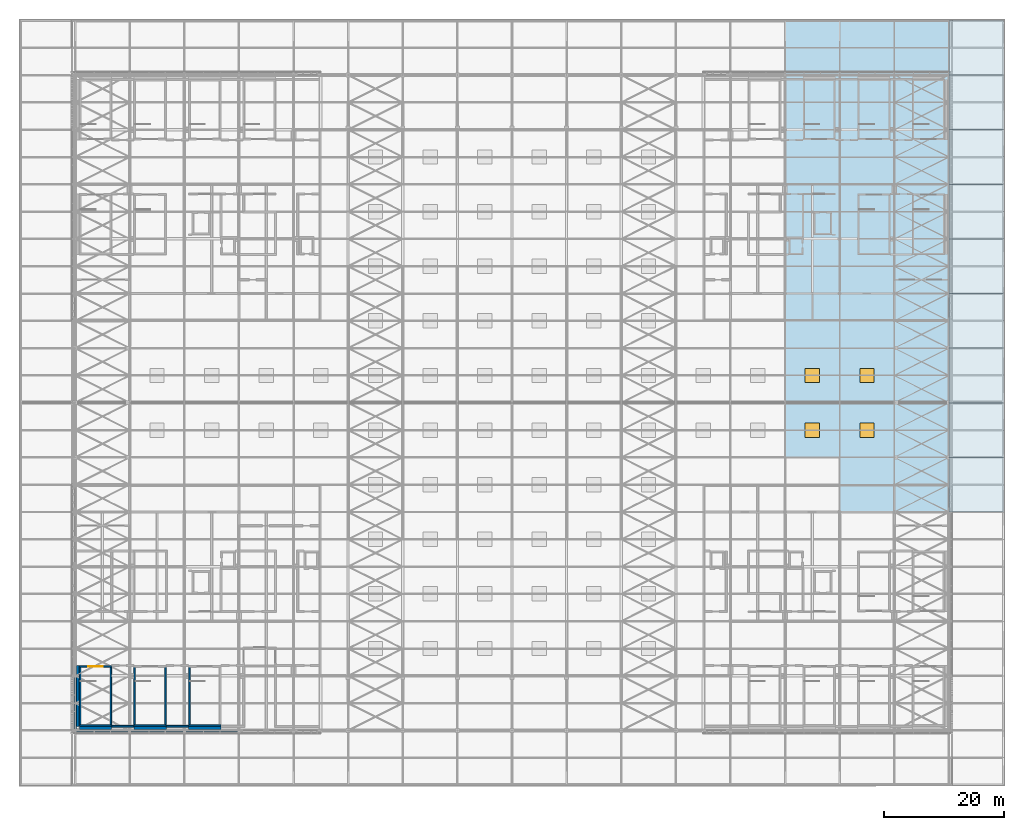
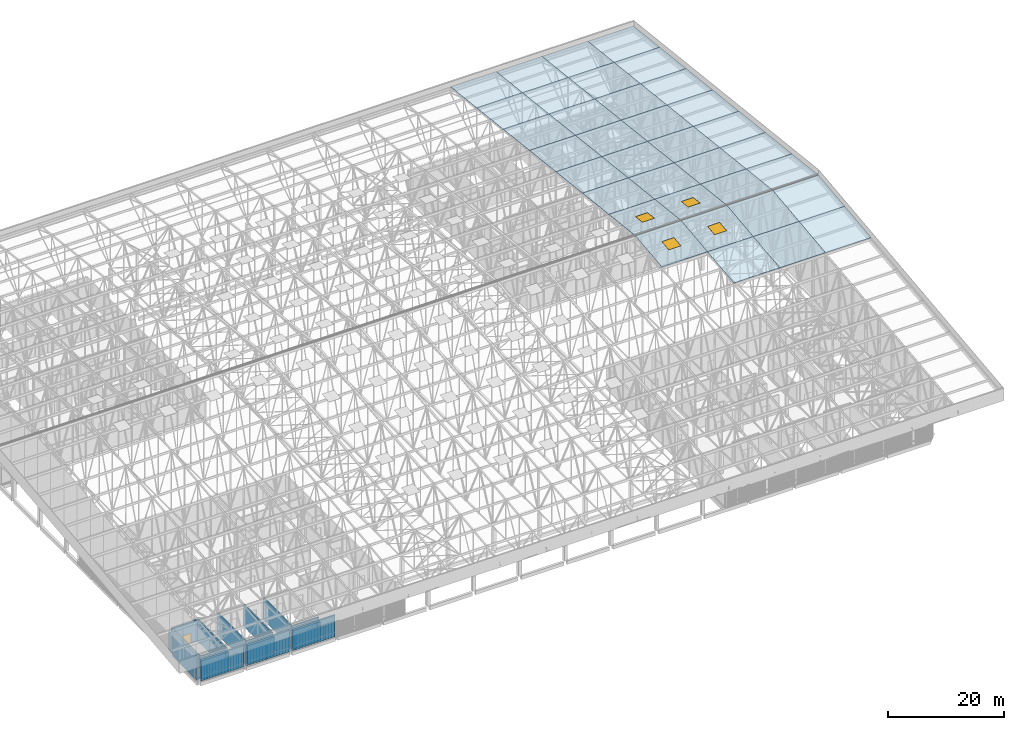
# One storey, part 423 of 500: 35 slabs, 19 walls, 4 windows, 1 door, 5 openings.
"""IFC4 building model written with IfcOpenShell, lengths in metres."""

from ifc_helpers import new_model, si_unit, direction, frame, frame_2d, origin, origin_2d, place, context, subcontext, project, spatial, polyline, rectangle, outline, extrude, material, layer, layer_set, type_object, element, fill, save


model = new_model("IFC4")

# Units and contexts
model_context = context("Model", 3, precision=1e-05, world=origin(), true_north=direction((0.0, 1.0)))
body_context = subcontext(model_context, "Body", "Model", "MODEL_VIEW")
ifc_project = project(units=[si_unit("LENGTHUNIT", "METRE"), si_unit("AREAUNIT", "SQUARE_METRE"), si_unit("VOLUMEUNIT", "CUBIC_METRE"), si_unit("PLANEANGLEUNIT", "RADIAN"), si_unit("MASSUNIT", "GRAM", prefix="KILO")], contexts=[model_context])

# Site, building, storey
site_placement = place(None, origin())
site = spatial("IfcSite", under=ifc_project, at=site_placement, CompositionType="ELEMENT")
building_placement = place(site_placement, origin())
building = spatial("IfcBuilding", under=site, at=building_placement, Name="Shirokan Park Arena", CompositionType="ELEMENT")
storey_placement = place(building_placement, frame((0.0, 0.0, 29.1201171875)))
storey = spatial("IfcBuildingStorey", under=building, at=storey_placement, Name="L06", CompositionType="ELEMENT", Elevation=29.1201171875)

# Slab, opening, window
ifc_material_1 = material(Name="Concrete C30 precast", Category="concrete")
ifc_layer_1 = layer(ifc_material_1, 0.1201171875)
ifc_layer_set_1 = layer_set([ifc_layer_1], Name="Concrete C30 precast 120 mm")
slab_type = type_object("IfcSlabType", Name="Roof deck panel 120", PredefinedType="ROOF", material=ifc_layer_set_1)
slab_1_placement = place(storey_placement, frame((118.300048828125, 45.5, 18.070556640625), z_axis=(0.0, -0.113549598152, 0.993532328996), x_axis=(1.0, 0.0, 0.0)))
slab_1 = element("IfcSlab", 1, at=slab_1_placement, inside=storey, type_object=slab_type, Name="Roof deck panel 15-7", PredefinedType="ROOF", context=body_context, shape_type="SweptSolid", body=[
    extrude(outline(polyline([(0.0, 0.0), (9.099853515625, 0.0), (9.099853515625, 9.15933723611117), (0.0, 9.15933723611117), (0.0, 0.0)]), holes=[polyline([(3.349853515625, 3.3719262543893525), (5.75, 3.3719262543893525), (5.75, 5.787438703791679), (3.349853515625, 5.787438703791679), (3.349853515625, 3.3719262543893525)])]), origin(), (0.0, 0.0, -1.0), 0.1201171875),
])
opening_1_placement = place(slab_1_placement, frame((4.550048828125, 4.57958984375, 0.010009765625)))
opening_1 = element("IfcOpeningElement", 2, at=opening_1_placement, cuts=slab_1, Name="Opening RL1", PredefinedType="OPENING", context=body_context, shape_type="SweptSolid", body=[
    extrude(rectangle(XDim=2.39990234375, YDim=2.4155251658253154, at=origin_2d()), origin(), (0.0, 0.0, -1.0), 0.139892578125),
])
ifc_material_2 = material(Name="Aluminium frame with laminated glass", Category="aluminium")
window_type = type_object("IfcWindowType", Name="Roof light 2400x2400", PartitioningType="SINGLE_PANEL", PredefinedType="SKYLIGHT", material=ifc_material_2)
window_1_placement = place(opening_1_placement, frame((0.0, 0.0, -0.06005859375)))
window_1 = element("IfcWindow", 3, at=window_1_placement, inside=storey, type_object=window_type, Name="Roof light 15-07", OverallHeight=2.4155251658253154, OverallWidth=2.39990234375, PartitioningType="SINGLE_PANEL", PredefinedType="SKYLIGHT", context=body_context, shape_type="SweptSolid", body=[
    extrude(rectangle(XDim=2.39990234375, YDim=2.4155251658253154, at=origin_2d()), origin(), (0.0, 0.0, 1.0), 0.050048828125),
])
fill(opening_1, window_1)

slab_2_placement = place(storey_placement, frame((118.300048828125, 54.60009765625, 19.110595703125), z_axis=(0.0, 0.113552605302, 0.993531985308), x_axis=(1.0, 0.0, 0.0)))
slab_2 = element("IfcSlab", 4, at=slab_2_placement, inside=storey, type_object=slab_type, Name="Roof deck panel 15-8", PredefinedType="ROOF", context=body_context, shape_type="SweptSolid", body=[
    extrude(outline(polyline([(0.0, 0.0), (9.099853515625, 0.0), (9.099853515625, 9.159094674549365), (0.0, 9.159094674549365), (0.0, 0.0)]), holes=[polyline([(3.349853515625, 3.371655970585497), (5.75, 3.371655970585497), (5.75, 5.787410981159839), (3.349853515625, 5.787410981159839), (3.349853515625, 3.371655970585497)])]), origin(), (0.0, 0.0, -1.0), 0.1201171875),
])
opening_2_placement = place(slab_2_placement, frame((4.550048828125, 4.579345703125, 0.010009765625)))
opening_2 = element("IfcOpeningElement", 5, at=opening_2_placement, cuts=slab_2, Name="Opening RL1", PredefinedType="OPENING", context=body_context, shape_type="SweptSolid", body=[
    extrude(rectangle(XDim=2.39990234375, YDim=2.415526001417119, at=origin_2d()), origin(), (0.0, 0.0, -1.0), 0.139892578125),
])
window_2_placement = place(opening_2_placement, frame((0.0, 0.0, -0.06005859375)))
window_2 = element("IfcWindow", 6, at=window_2_placement, inside=storey, type_object=window_type, Name="Roof light 15-08", OverallHeight=2.415526001417119, OverallWidth=2.39990234375, PartitioningType="SINGLE_PANEL", PredefinedType="SKYLIGHT", context=body_context, shape_type="SweptSolid", body=[
    extrude(rectangle(XDim=2.39990234375, YDim=2.415526001417119, at=origin_2d()), origin(), (0.0, 0.0, 1.0), 0.050048828125),
])
fill(opening_2, window_2)

# Slabs
slab_3_placement = place(storey_placement, frame((118.300048828125, 63.699951171875, 18.070556640625), z_axis=(0.0, 0.113523286872, 0.993535335727), x_axis=(1.0, 0.0, 0.0)))
element("IfcSlab", 7, at=slab_3_placement, inside=storey, type_object=slab_type, Name="Roof deck panel 15-9", PredefinedType="ROOF", context=body_context, shape_type="SweptSolid", body=[
    extrude(outline(polyline([(0.0, 0.0), (9.099853515625, 0.0), (9.099853515625, 9.159309517253131), (0.0, 9.159309517253131), (0.0, 0.0)])), origin(), (0.0, 0.0, -1.0), 0.1201171875),
])
slab_4_placement = place(storey_placement, frame((118.300048828125, 72.800048828125, 17.03076171875), z_axis=(0.0, 0.113552605302, 0.993531985308), x_axis=(1.0, 0.0, 0.0)))
element("IfcSlab", 8, at=slab_4_placement, inside=storey, type_object=slab_type, Name="Roof deck panel 15-10", PredefinedType="ROOF", context=body_context, shape_type="SweptSolid", body=[
    extrude(outline(polyline([(0.0, 0.0), (9.099853515625, 0.0), (9.099853515625, 9.159094674549365), (0.0, 9.159094674549365), (0.0, 0.0)])), origin(), (0.0, 0.0, -1.0), 0.1201171875),
])
for number, where, z_axis, x_axis, name in (
    (9, (118.300048828125, 81.89990234375, 15.99072265625), (0.0, 0.113549598152, 0.993532328996), (1.0, 0.0, 0.0), "Roof deck panel 15-11"),
    (10, (118.300048828125, 91.0, 14.95068359375), (0.0, 0.113549598152, 0.993532328996), (1.0, 0.0, 0.0), "Roof deck panel 15-12"),
):
    element("IfcSlab", number, at=place(storey_placement, frame(where, z_axis=z_axis, x_axis=x_axis)), inside=storey, type_object=slab_type, Name=name, PredefinedType="ROOF", context=body_context, shape_type="SweptSolid", body=[
        extrude(outline(polyline([(0.0, 0.0), (9.099853515625, 0.0), (9.099853515625, 9.15933723611117), (0.0, 9.15933723611117), (0.0, 0.0)])), origin(), (0.0, 0.0, -1.0), 0.1201171875),
    ])
slab_5_placement = place(storey_placement, frame((118.300048828125, 100.10009765625, 13.91064453125), z_axis=(0.0, 0.113552605302, 0.993531985308), x_axis=(1.0, 0.0, 0.0)))
element("IfcSlab", 11, at=slab_5_placement, inside=storey, type_object=slab_type, Name="Roof deck panel 15-13", PredefinedType="ROOF", context=body_context, shape_type="SweptSolid", body=[
    extrude(outline(polyline([(0.0, 0.0), (9.099853515625, 0.0), (9.099853515625, 9.159094674549365), (0.0, 9.159094674549365), (0.0, 0.0)])), origin(), (0.0, 0.0, -1.0), 0.1201171875),
])
slab_6_placement = place(storey_placement, frame((118.300048828125, 109.199951171875, 12.87060546875), z_axis=(0.0, 0.113549598152, 0.993532328996), x_axis=(1.0, 0.0, 0.0)))
element("IfcSlab", 12, at=slab_6_placement, inside=storey, type_object=slab_type, Name="Roof deck panel 15-14", PredefinedType="ROOF", context=body_context, shape_type="SweptSolid", body=[
    extrude(outline(polyline([(0.0, 0.0), (9.099853515625, 0.0), (9.099853515625, 9.15933723611117), (0.0, 9.15933723611117), (0.0, 0.0)])), origin(), (0.0, 0.0, -1.0), 0.1201171875),
])
slab_7_placement = place(storey_placement, frame((127.39990234375, 36.39990234375, 17.03076171875), z_axis=(0.0, -0.113523286872, 0.993535335727), x_axis=(1.0, 0.0, 0.0)))
element("IfcSlab", 13, at=slab_7_placement, inside=storey, type_object=slab_type, Name="Roof deck panel 16-6", PredefinedType="ROOF", context=body_context, shape_type="SweptSolid", body=[
    extrude(outline(polyline([(0.0, 0.0), (9.10009765625, 0.0), (9.10009765625, 9.159309517253131), (0.0, 9.159309517253131), (0.0, 0.0)])), origin(), (0.0, 0.0, -1.0), 0.1201171875),
])

# Slab, opening, window
slab_8_placement = place(storey_placement, frame((127.39990234375, 45.5, 18.070556640625), z_axis=(0.0, -0.113549598152, 0.993532328996), x_axis=(1.0, 0.0, 0.0)))
slab_8 = element("IfcSlab", 14, at=slab_8_placement, inside=storey, type_object=slab_type, Name="Roof deck panel 16-7", PredefinedType="ROOF", context=body_context, shape_type="SweptSolid", body=[
    extrude(outline(polyline([(0.0, 0.0), (9.10009765625, 0.0), (9.10009765625, 9.15933723611117), (0.0, 9.15933723611117), (0.0, 0.0)]), holes=[polyline([(3.35009765625, 3.371926254389353), (5.75, 3.371926254389353), (5.75, 5.78743870379168), (3.35009765625, 5.78743870379168), (3.35009765625, 3.371926254389353)])]), origin(), (0.0, 0.0, -1.0), 0.1201171875),
])
opening_3_placement = place(slab_8_placement, frame((4.550048828125, 4.57958984375, 0.010009765625)))
opening_3 = element("IfcOpeningElement", 15, at=opening_3_placement, cuts=slab_8, Name="Opening RL1", PredefinedType="OPENING", context=body_context, shape_type="SweptSolid", body=[
    extrude(rectangle(XDim=2.39990234375, YDim=2.4155251658253154, at=origin_2d()), origin(), (0.0, 0.0, -1.0), 0.139892578125),
])
window_3_placement = place(opening_3_placement, frame((0.0, 0.0, -0.06005859375)))
window_3 = element("IfcWindow", 16, at=window_3_placement, inside=storey, type_object=window_type, Name="Roof light 16-07", OverallHeight=2.4155251658253154, OverallWidth=2.39990234375, PartitioningType="SINGLE_PANEL", PredefinedType="SKYLIGHT", context=body_context, shape_type="SweptSolid", body=[
    extrude(rectangle(XDim=2.39990234375, YDim=2.4155251658253154, at=origin_2d()), origin(), (0.0, 0.0, 1.0), 0.050048828125),
])
fill(opening_3, window_3)

slab_9_placement = place(storey_placement, frame((127.39990234375, 54.60009765625, 19.110595703125), z_axis=(0.0, 0.113552605302, 0.993531985308), x_axis=(1.0, 0.0, 0.0)))
slab_9 = element("IfcSlab", 17, at=slab_9_placement, inside=storey, type_object=slab_type, Name="Roof deck panel 16-8", PredefinedType="ROOF", context=body_context, shape_type="SweptSolid", body=[
    extrude(outline(polyline([(0.0, 0.0), (9.10009765625, 0.0), (9.10009765625, 9.159094674549367), (0.0, 9.159094674549367), (0.0, 0.0)]), holes=[polyline([(3.35009765625, 3.3716559705854974), (5.75, 3.3716559705854974), (5.75, 5.78741098115984), (3.35009765625, 5.78741098115984), (3.35009765625, 3.3716559705854974)])]), origin(), (0.0, 0.0, -1.0), 0.1201171875),
])
opening_4_placement = place(slab_9_placement, frame((4.550048828125, 4.579345703125, 0.010009765625)))
opening_4 = element("IfcOpeningElement", 18, at=opening_4_placement, cuts=slab_9, Name="Opening RL1", PredefinedType="OPENING", context=body_context, shape_type="SweptSolid", body=[
    extrude(rectangle(XDim=2.39990234375, YDim=2.4155260014171187, at=origin_2d()), origin(), (0.0, 0.0, -1.0), 0.139892578125),
])
window_4_placement = place(opening_4_placement, frame((0.0, 0.0, -0.06005859375)))
window_4 = element("IfcWindow", 19, at=window_4_placement, inside=storey, type_object=window_type, Name="Roof light 16-08", OverallHeight=2.4155260014171187, OverallWidth=2.39990234375, PartitioningType="SINGLE_PANEL", PredefinedType="SKYLIGHT", context=body_context, shape_type="SweptSolid", body=[
    extrude(rectangle(XDim=2.39990234375, YDim=2.4155260014171187, at=origin_2d()), origin(), (0.0, 0.0, 1.0), 0.050048828125),
])
fill(opening_4, window_4)

# Slabs
slab_10_placement = place(storey_placement, frame((127.39990234375, 63.699951171875, 18.070556640625), z_axis=(0.0, 0.113523286872, 0.993535335727), x_axis=(1.0, 0.0, 0.0)))
element("IfcSlab", 20, at=slab_10_placement, inside=storey, type_object=slab_type, Name="Roof deck panel 16-9", PredefinedType="ROOF", context=body_context, shape_type="SweptSolid", body=[
    extrude(outline(polyline([(0.0, 0.0), (9.10009765625, 0.0), (9.10009765625, 9.159309517253131), (0.0, 9.159309517253131), (0.0, 0.0)])), origin(), (0.0, 0.0, -1.0), 0.1201171875),
])
slab_11_placement = place(storey_placement, frame((127.39990234375, 72.800048828125, 17.03076171875), z_axis=(0.0, 0.113552605302, 0.993531985308), x_axis=(1.0, 0.0, 0.0)))
element("IfcSlab", 21, at=slab_11_placement, inside=storey, type_object=slab_type, Name="Roof deck panel 16-10", PredefinedType="ROOF", context=body_context, shape_type="SweptSolid", body=[
    extrude(outline(polyline([(0.0, 0.0), (9.10009765625, 0.0), (9.10009765625, 9.159094674549367), (0.0, 9.159094674549367), (0.0, 0.0)])), origin(), (0.0, 0.0, -1.0), 0.1201171875),
])
for number, where, z_axis, x_axis, name in (
    (22, (127.39990234375, 81.89990234375, 15.99072265625), (0.0, 0.113549598152, 0.993532328996), (1.0, 0.0, 0.0), "Roof deck panel 16-11"),
    (23, (127.39990234375, 91.0, 14.95068359375), (0.0, 0.113549598152, 0.993532328996), (1.0, 0.0, 0.0), "Roof deck panel 16-12"),
):
    element("IfcSlab", number, at=place(storey_placement, frame(where, z_axis=z_axis, x_axis=x_axis)), inside=storey, type_object=slab_type, Name=name, PredefinedType="ROOF", context=body_context, shape_type="SweptSolid", body=[
        extrude(outline(polyline([(0.0, 0.0), (9.10009765625, 0.0), (9.10009765625, 9.15933723611117), (0.0, 9.15933723611117), (0.0, 0.0)])), origin(), (0.0, 0.0, -1.0), 0.1201171875),
    ])
slab_12_placement = place(storey_placement, frame((127.39990234375, 100.10009765625, 13.91064453125), z_axis=(0.0, 0.113552605302, 0.993531985308), x_axis=(1.0, 0.0, 0.0)))
element("IfcSlab", 24, at=slab_12_placement, inside=storey, type_object=slab_type, Name="Roof deck panel 16-13", PredefinedType="ROOF", context=body_context, shape_type="SweptSolid", body=[
    extrude(outline(polyline([(0.0, 0.0), (9.10009765625, 0.0), (9.10009765625, 9.159094674549367), (0.0, 9.159094674549367), (0.0, 0.0)])), origin(), (0.0, 0.0, -1.0), 0.1201171875),
])
slab_13_placement = place(storey_placement, frame((127.39990234375, 109.199951171875, 12.87060546875), z_axis=(0.0, 0.113549598152, 0.993532328996), x_axis=(1.0, 0.0, 0.0)))
element("IfcSlab", 25, at=slab_13_placement, inside=storey, type_object=slab_type, Name="Roof deck panel 16-14", PredefinedType="ROOF", context=body_context, shape_type="SweptSolid", body=[
    extrude(outline(polyline([(0.0, 0.0), (9.10009765625, 0.0), (9.10009765625, 9.15933723611117), (0.0, 9.15933723611117), (0.0, 0.0)])), origin(), (0.0, 0.0, -1.0), 0.1201171875),
])
slab_14_placement = place(storey_placement, frame((136.5, 36.39990234375, 17.03076171875), z_axis=(0.0, -0.113523286872, 0.993535335727), x_axis=(1.0, 0.0, 0.0)))
element("IfcSlab", 26, at=slab_14_placement, inside=storey, type_object=slab_type, Name="Roof deck panel 17-6", PredefinedType="ROOF", context=body_context, shape_type="SweptSolid", body=[
    extrude(outline(polyline([(0.0, 0.0), (9.10009765625, 0.0), (9.10009765625, 9.159309517253131), (0.0, 9.159309517253131), (0.0, 0.0)])), origin(), (0.0, 0.0, -1.0), 0.1201171875),
])
slab_15_placement = place(storey_placement, frame((136.5, 45.5, 18.070556640625), z_axis=(0.0, -0.113549598152, 0.993532328996), x_axis=(1.0, 0.0, 0.0)))
element("IfcSlab", 27, at=slab_15_placement, inside=storey, type_object=slab_type, Name="Roof deck panel 17-7", PredefinedType="ROOF", context=body_context, shape_type="SweptSolid", body=[
    extrude(outline(polyline([(0.0, 0.0), (9.10009765625, 0.0), (9.10009765625, 9.15933723611117), (0.0, 9.15933723611117), (0.0, 0.0)])), origin(), (0.0, 0.0, -1.0), 0.1201171875),
])
slab_16_placement = place(storey_placement, frame((136.5, 54.60009765625, 19.110595703125), z_axis=(0.0, 0.113552605302, 0.993531985308), x_axis=(1.0, 0.0, 0.0)))
element("IfcSlab", 28, at=slab_16_placement, inside=storey, type_object=slab_type, Name="Roof deck panel 17-8", PredefinedType="ROOF", context=body_context, shape_type="SweptSolid", body=[
    extrude(outline(polyline([(0.0, 0.0), (9.10009765625, 0.0), (9.10009765625, 9.159094674549367), (0.0, 9.159094674549367), (0.0, 0.0)])), origin(), (0.0, 0.0, -1.0), 0.1201171875),
])
slab_17_placement = place(storey_placement, frame((136.5, 63.699951171875, 18.070556640625), z_axis=(0.0, 0.113523286872, 0.993535335727), x_axis=(1.0, 0.0, 0.0)))
element("IfcSlab", 29, at=slab_17_placement, inside=storey, type_object=slab_type, Name="Roof deck panel 17-9", PredefinedType="ROOF", context=body_context, shape_type="SweptSolid", body=[
    extrude(outline(polyline([(0.0, 0.0), (9.10009765625, 0.0), (9.10009765625, 9.159309517253131), (0.0, 9.159309517253131), (0.0, 0.0)])), origin(), (0.0, 0.0, -1.0), 0.1201171875),
])
slab_18_placement = place(storey_placement, frame((136.5, 72.800048828125, 17.03076171875), z_axis=(0.0, 0.113552605302, 0.993531985308), x_axis=(1.0, 0.0, 0.0)))
element("IfcSlab", 30, at=slab_18_placement, inside=storey, type_object=slab_type, Name="Roof deck panel 17-10", PredefinedType="ROOF", context=body_context, shape_type="SweptSolid", body=[
    extrude(outline(polyline([(0.0, 0.0), (9.10009765625, 0.0), (9.10009765625, 9.159094674549367), (0.0, 9.159094674549367), (0.0, 0.0)])), origin(), (0.0, 0.0, -1.0), 0.1201171875),
])
for number, where, z_axis, x_axis, name in (
    (31, (136.5, 81.89990234375, 15.99072265625), (0.0, 0.113549598152, 0.993532328996), (1.0, 0.0, 0.0), "Roof deck panel 17-11"),
    (32, (136.5, 91.0, 14.95068359375), (0.0, 0.113549598152, 0.993532328996), (1.0, 0.0, 0.0), "Roof deck panel 17-12"),
):
    element("IfcSlab", number, at=place(storey_placement, frame(where, z_axis=z_axis, x_axis=x_axis)), inside=storey, type_object=slab_type, Name=name, PredefinedType="ROOF", context=body_context, shape_type="SweptSolid", body=[
        extrude(outline(polyline([(0.0, 0.0), (9.10009765625, 0.0), (9.10009765625, 9.15933723611117), (0.0, 9.15933723611117), (0.0, 0.0)])), origin(), (0.0, 0.0, -1.0), 0.1201171875),
    ])
slab_19_placement = place(storey_placement, frame((136.5, 100.10009765625, 13.91064453125), z_axis=(0.0, 0.113552605302, 0.993531985308), x_axis=(1.0, 0.0, 0.0)))
element("IfcSlab", 33, at=slab_19_placement, inside=storey, type_object=slab_type, Name="Roof deck panel 17-13", PredefinedType="ROOF", context=body_context, shape_type="SweptSolid", body=[
    extrude(outline(polyline([(0.0, 0.0), (9.10009765625, 0.0), (9.10009765625, 9.159094674549367), (0.0, 9.159094674549367), (0.0, 0.0)])), origin(), (0.0, 0.0, -1.0), 0.1201171875),
])
slab_20_placement = place(storey_placement, frame((136.5, 109.199951171875, 12.87060546875), z_axis=(0.0, 0.113549598152, 0.993532328996), x_axis=(1.0, 0.0, 0.0)))
element("IfcSlab", 34, at=slab_20_placement, inside=storey, type_object=slab_type, Name="Roof deck panel 17-14", PredefinedType="ROOF", context=body_context, shape_type="SweptSolid", body=[
    extrude(outline(polyline([(0.0, 0.0), (9.10009765625, 0.0), (9.10009765625, 9.15933723611117), (0.0, 9.15933723611117), (0.0, 0.0)])), origin(), (0.0, 0.0, -1.0), 0.1201171875),
])
slab_21_placement = place(storey_placement, frame((145.60009765625, 36.39990234375, 17.03076171875), z_axis=(0.0, -0.113523286872, 0.993535335727), x_axis=(1.0, 0.0, 0.0)))
element("IfcSlab", 35, at=slab_21_placement, inside=storey, type_object=slab_type, Name="Roof deck panel 18-6", PredefinedType="ROOF", context=body_context, shape_type="SweptSolid", body=[
    extrude(outline(polyline([(0.0, 0.0), (9.099853515625, 0.0), (9.099853515625, 9.159309517253131), (0.0, 9.159309517253131), (0.0, 0.0)])), origin(), (0.0, 0.0, -1.0), 0.1201171875),
])
slab_22_placement = place(storey_placement, frame((145.60009765625, 45.5, 18.070556640625), z_axis=(0.0, -0.113549598152, 0.993532328996), x_axis=(1.0, 0.0, 0.0)))
element("IfcSlab", 36, at=slab_22_placement, inside=storey, type_object=slab_type, Name="Roof deck panel 18-7", PredefinedType="ROOF", context=body_context, shape_type="SweptSolid", body=[
    extrude(outline(polyline([(0.0, 0.0), (9.099853515625, 0.0), (9.099853515625, 9.15933723611117), (0.0, 9.15933723611117), (0.0, 0.0)])), origin(), (0.0, 0.0, -1.0), 0.1201171875),
])
slab_23_placement = place(storey_placement, frame((145.60009765625, 54.60009765625, 19.110595703125), z_axis=(0.0, 0.113552605302, 0.993531985308), x_axis=(1.0, 0.0, 0.0)))
element("IfcSlab", 37, at=slab_23_placement, inside=storey, type_object=slab_type, Name="Roof deck panel 18-8", PredefinedType="ROOF", context=body_context, shape_type="SweptSolid", body=[
    extrude(outline(polyline([(0.0, 0.0), (9.099853515625, 0.0), (9.099853515625, 9.159094674549365), (0.0, 9.159094674549365), (0.0, 0.0)])), origin(), (0.0, 0.0, -1.0), 0.1201171875),
])
slab_24_placement = place(storey_placement, frame((145.60009765625, 63.699951171875, 18.070556640625), z_axis=(0.0, 0.113523286872, 0.993535335727), x_axis=(1.0, 0.0, 0.0)))
element("IfcSlab", 38, at=slab_24_placement, inside=storey, type_object=slab_type, Name="Roof deck panel 18-9", PredefinedType="ROOF", context=body_context, shape_type="SweptSolid", body=[
    extrude(outline(polyline([(0.0, 0.0), (9.099853515625, 0.0), (9.099853515625, 9.159309517253131), (0.0, 9.159309517253131), (0.0, 0.0)])), origin(), (0.0, 0.0, -1.0), 0.1201171875),
])
slab_25_placement = place(storey_placement, frame((145.60009765625, 72.800048828125, 17.03076171875), z_axis=(0.0, 0.113552605302, 0.993531985308), x_axis=(1.0, 0.0, 0.0)))
element("IfcSlab", 39, at=slab_25_placement, inside=storey, type_object=slab_type, Name="Roof deck panel 18-10", PredefinedType="ROOF", context=body_context, shape_type="SweptSolid", body=[
    extrude(outline(polyline([(0.0, 0.0), (9.099853515625, 0.0), (9.099853515625, 9.159094674549365), (0.0, 9.159094674549365), (0.0, 0.0)])), origin(), (0.0, 0.0, -1.0), 0.1201171875),
])
for number, where, z_axis, x_axis, name in (
    (40, (145.60009765625, 81.89990234375, 15.99072265625), (0.0, 0.113549598152, 0.993532328996), (1.0, 0.0, 0.0), "Roof deck panel 18-11"),
    (41, (145.60009765625, 91.0, 14.95068359375), (0.0, 0.113549598152, 0.993532328996), (1.0, 0.0, 0.0), "Roof deck panel 18-12"),
):
    element("IfcSlab", number, at=place(storey_placement, frame(where, z_axis=z_axis, x_axis=x_axis)), inside=storey, type_object=slab_type, Name=name, PredefinedType="ROOF", context=body_context, shape_type="SweptSolid", body=[
        extrude(outline(polyline([(0.0, 0.0), (9.099853515625, 0.0), (9.099853515625, 9.15933723611117), (0.0, 9.15933723611117), (0.0, 0.0)])), origin(), (0.0, 0.0, -1.0), 0.1201171875),
    ])
slab_26_placement = place(storey_placement, frame((145.60009765625, 100.10009765625, 13.91064453125), z_axis=(0.0, 0.113552605302, 0.993531985308), x_axis=(1.0, 0.0, 0.0)))
element("IfcSlab", 42, at=slab_26_placement, inside=storey, type_object=slab_type, Name="Roof deck panel 18-13", PredefinedType="ROOF", context=body_context, shape_type="SweptSolid", body=[
    extrude(outline(polyline([(0.0, 0.0), (9.099853515625, 0.0), (9.099853515625, 9.159094674549365), (0.0, 9.159094674549365), (0.0, 0.0)])), origin(), (0.0, 0.0, -1.0), 0.1201171875),
])
slab_27_placement = place(storey_placement, frame((145.60009765625, 109.199951171875, 12.87060546875), z_axis=(0.0, 0.113549598152, 0.993532328996), x_axis=(1.0, 0.0, 0.0)))
element("IfcSlab", 43, at=slab_27_placement, inside=storey, type_object=slab_type, Name="Roof deck panel 18-14", PredefinedType="ROOF", context=body_context, shape_type="SweptSolid", body=[
    extrude(outline(polyline([(0.0, 0.0), (9.099853515625, 0.0), (9.099853515625, 9.15933723611117), (0.0, 9.15933723611117), (0.0, 0.0)])), origin(), (0.0, 0.0, -1.0), 0.1201171875),
])

# Walls
ifc_material_3 = material(Name="Cedar cladding")
ifc_layer_2 = layer(ifc_material_3, 0.030029296875, Name="Cedar cladding")
ifc_material_4 = material(Name="Mineral wool insulation")
ifc_layer_3 = layer(ifc_material_4, 0.10009765625, Name="Mineral wool insulation")
ifc_material_5 = material(Name="Concrete C35", Category="concrete")
ifc_layer_4 = layer(ifc_material_5, 0.199951171875, Name="Concrete C35")
ifc_material_6 = material(Name="Gypsum board lining")
ifc_layer_5 = layer(ifc_material_6, 0.02001953125, Name="Gypsum board lining")
ifc_layer_set_2 = layer_set([ifc_layer_2, ifc_layer_3, ifc_layer_4, ifc_layer_5], Name="Cedar cladding + Mineral wool insulation + Concrete C35 + Gypsum board lining")
wall_type_1 = type_object("IfcWallType", Name="Insulated tower wall 350", PredefinedType="SOLIDWALL", material=ifc_layer_set_2)
wall_1_placement = place(storey_placement, frame((0.25, 0.02490234375, 0.0), z_axis=(0.0, 0.0, 1.0), x_axis=(1.0, 0.0, 0.0)))
element("IfcWall", 44, at=wall_1_placement, inside=storey, type_object=wall_type_1, Name="South facade wall bay 1 L06", PredefinedType="SOLIDWALL", context=body_context, shape_type="SweptSolid", body=[
    extrude(rectangle(XDim=8.60009765625, YDim=0.35009765625, at=frame_2d((4.300048828125, 0.0))), origin(), (0.0, 0.0, 1.0), 4.5),
])
wall_2_placement = place(storey_placement, frame((9.35009765625, 0.02490234375, 0.0), z_axis=(0.0, 0.0, 1.0), x_axis=(1.0, 0.0, 0.0)))
element("IfcWall", 45, at=wall_2_placement, inside=storey, type_object=wall_type_1, Name="South facade wall bay 2 L06", PredefinedType="SOLIDWALL", context=body_context, shape_type="SweptSolid", body=[
    extrude(rectangle(XDim=8.599853515625, YDim=0.35009765625, at=frame_2d((4.2998046875, 0.0))), origin(), (0.0, 0.0, 1.0), 4.5),
])
for number, where, z_axis, x_axis, name in (
    (46, (18.449951171875, 0.02490234375, 0.0), (0.0, 0.0, 1.0), (1.0, 0.0, 0.0), "South facade wall bay 3 L06"),
    (47, (0.02490234375, 8.85009765625, 0.0), (0.0, 0.0, 1.0), (0.0, -1.0, 0.0), "West facade wall bay 12 L06"),
):
    element("IfcWall", number, at=place(storey_placement, frame(where, z_axis=z_axis, x_axis=x_axis)), inside=storey, type_object=wall_type_1, Name=name, PredefinedType="SOLIDWALL", context=body_context, shape_type="SweptSolid", body=[
        extrude(rectangle(XDim=8.60009765625, YDim=0.35009765625, at=frame_2d((4.300048828125, 0.0))), origin(), (0.0, 0.0, 1.0), 4.5),
    ])
ifc_material_7 = material(Name="Plaster")
ifc_layer_6 = layer(ifc_material_7, 0.012451171875, Name="Plaster")
ifc_material_8 = material(Name="Concrete blockwork", Category="masonry")
ifc_layer_7 = layer(ifc_material_8, 0.25, Name="Concrete blockwork 250")
ifc_layer_8 = layer(ifc_material_7, 0.012451171875, Name="Plaster")
ifc_layer_set_3 = layer_set([ifc_layer_6, ifc_layer_7, ifc_layer_8], Name="Plaster + Concrete blockwork 250")
wall_type_2 = type_object("IfcWallType", Name="Plant room wall 275", PredefinedType="SOLIDWALL", material=ifc_layer_set_3)
for number, where, z_axis, x_axis, name in (
    (48, (9.77001953125, 0.699951171875, 0.0), (0.0, 0.0, 1.0), (-1.0, 0.0, 0.0), "Plant room wall 275 L06"),
    (49, (18.8701171875, 0.699951171875, 0.0), (0.0, 0.0, 1.0), (-1.0, 0.0, 0.0), "Plant room wall 275 L06"),
):
    element("IfcWall", number, at=place(storey_placement, frame(where, z_axis=z_axis, x_axis=x_axis)), inside=storey, type_object=wall_type_2, Name=name, PredefinedType="SOLIDWALL", context=body_context, shape_type="SweptSolid", body=[
        extrude(rectangle(XDim=3.64013671875, YDim=0.27490234375, at=frame_2d((1.820068359375, 0.0))), origin(), (0.0, 0.0, 1.0), 3.8798828125),
    ])
ifc_material_9 = material(Name="Concrete C40/50", Category="concrete")
ifc_layer_9 = layer(ifc_material_9, 0.25)
ifc_layer_set_4 = layer_set([ifc_layer_9], Name="Concrete C40/50 250 mm")
wall_type_3 = type_object("IfcWallType", Name="RC shear wall 250", PredefinedType="SHEAR", material=ifc_layer_set_4)
wall_3_placement = place(storey_placement, frame((6.10009765625, 0.824951171875, 0.0), z_axis=(0.0, 0.0, 1.0), x_axis=(-1.0, 0.0, 0.0)))
element("IfcWall", 50, at=wall_3_placement, inside=storey, type_object=wall_type_3, Name="Shaft wall Exit Stair 1.A S L06", PredefinedType="SHEAR", context=body_context, shape_type="SweptSolid", body=[
    extrude(rectangle(XDim=5.400146484375, YDim=0.25, at=frame_2d((2.7001953125, 0.0))), origin(), (0.0, 0.0, 1.0), 4.5498046875),
])

# Wall, opening, door
wall_4_placement = place(storey_placement, frame((6.10009765625, 10.675048828125, 0.0), z_axis=(0.0, 0.0, 1.0), x_axis=(-1.0, 0.0, 0.0)))
wall_4 = element("IfcWall", 51, at=wall_4_placement, inside=storey, type_object=wall_type_3, Name="Shaft wall Exit Stair 1.A N L06", PredefinedType="SHEAR", context=body_context, shape_type="SweptSolid", body=[
    extrude(rectangle(XDim=5.400146484375, YDim=0.25, at=frame_2d((2.7001953125, 0.0))), origin(), (0.0, 0.0, 1.0), 4.5498046875),
])
opening_5_placement = place(wall_4_placement, frame((1.5, 0.0, 0.0)))
opening_5 = element("IfcOpeningElement", 52, at=opening_5_placement, cuts=wall_4, Name="Opening D-6068", PredefinedType="OPENING", context=body_context, shape_type="SweptSolid", body=[
    extrude(rectangle(XDim=2.39990234375, YDim=2.10009765625, at=frame_2d((1.199951171875, 1.050048828125))), frame((0.0, 0.135009765625, 0.0), z_axis=(0.0, -1.0, 0.0), x_axis=(1.0, 0.0, 0.0)), (0.0, 0.0, 1.0), 0.27001953125),
])
ifc_material_10 = material(Name="Steel door set, fire resisting", Category="steel")
door_type = type_object("IfcDoorType", Name="Stair door 2400 x 2100", OperationType="DOUBLE_DOOR_SINGLE_SWING", PredefinedType="DOOR", material=ifc_material_10)
door_placement = place(opening_5_placement, origin())
door = element("IfcDoor", 53, at=door_placement, inside=storey, type_object=door_type, Name="Stair door Exit Stair 1.A D-6068", OperationType="DOUBLE_DOOR_SINGLE_SWING", OverallHeight=2.10009765625, OverallWidth=2.39990234375, PredefinedType="DOOR", context=body_context, shape_type="SweptSolid", body=[
    extrude(rectangle(XDim=2.39990234375, YDim=2.10009765625, at=frame_2d((1.199951171875, 1.050048828125))), frame((0.0, 0.02490234375, 0.0), z_axis=(0.0, -1.0, 0.0), x_axis=(1.0, 0.0, 0.0)), (0.0, 0.0, 1.0), 0.050048828125),
])
fill(opening_5, door)

# Walls
for number, where, z_axis, x_axis, name in (
    (54, (0.824951171875, 10.550048828125, 0.0), (0.0, 0.0, 1.0), (0.0, -1.0, 0.0), "Shaft wall Exit Stair 1.A W L06"),
    (55, (5.97509765625, 10.550048828125, 0.0), (0.0, 0.0, 1.0), (0.0, -1.0, 0.0), "Shaft wall Exit Stair 1.A E L06"),
):
    element("IfcWall", number, at=place(storey_placement, frame(where, z_axis=z_axis, x_axis=x_axis)), inside=storey, type_object=wall_type_3, Name=name, PredefinedType="SHEAR", context=body_context, shape_type="SweptSolid", body=[
        extrude(rectangle(XDim=9.60009765625, YDim=0.25, at=frame_2d((4.800048828125, 0.0))), origin(), (0.0, 0.0, 1.0), 4.5498046875),
    ])
wall_5_placement = place(storey_placement, frame((15.199951171875, 0.824951171875, 0.0), z_axis=(0.0, 0.0, 1.0), x_axis=(-1.0, 0.0, 0.0)))
element("IfcWall", 56, at=wall_5_placement, inside=storey, type_object=wall_type_3, Name="Shaft wall Exit Stair 1.B S L06", PredefinedType="SHEAR", context=body_context, shape_type="SweptSolid", body=[
    extrude(rectangle(XDim=5.39990234375, YDim=0.25, at=frame_2d((2.699951171875, 0.0))), origin(), (0.0, 0.0, 1.0), 4.5498046875),
])
for number, where, z_axis, x_axis, name in (
    (57, (9.925048828125, 10.550048828125, 0.0), (0.0, 0.0, 1.0), (0.0, -1.0, 0.0), "Shaft wall Exit Stair 1.B W L06"),
    (58, (15.074951171875, 10.550048828125, 0.0), (0.0, 0.0, 1.0), (0.0, -1.0, 0.0), "Shaft wall Exit Stair 1.B E L06"),
):
    element("IfcWall", number, at=place(storey_placement, frame(where, z_axis=z_axis, x_axis=x_axis)), inside=storey, type_object=wall_type_3, Name=name, PredefinedType="SHEAR", context=body_context, shape_type="SweptSolid", body=[
        extrude(rectangle(XDim=9.60009765625, YDim=0.25, at=frame_2d((4.800048828125, 0.0))), origin(), (0.0, 0.0, 1.0), 4.5498046875),
    ])
wall_6_placement = place(storey_placement, frame((24.300048828125, 0.824951171875, 0.0), z_axis=(0.0, 0.0, 1.0), x_axis=(-1.0, 0.0, 0.0)))
element("IfcWall", 59, at=wall_6_placement, inside=storey, type_object=wall_type_3, Name="Shaft wall Exit Stair 1.C S L06", PredefinedType="SHEAR", context=body_context, shape_type="SweptSolid", body=[
    extrude(rectangle(XDim=5.400146484375, YDim=0.25, at=frame_2d((2.7001953125, 0.0))), origin(), (0.0, 0.0, 1.0), 4.5498046875),
])
wall_7_placement = place(storey_placement, frame((19.02490234375, 10.550048828125, 0.0), z_axis=(0.0, 0.0, 1.0), x_axis=(0.0, -1.0, 0.0)))
element("IfcWall", 60, at=wall_7_placement, inside=storey, type_object=wall_type_3, Name="Shaft wall Exit Stair 1.C W L06", PredefinedType="SHEAR", context=body_context, shape_type="SweptSolid", body=[
    extrude(rectangle(XDim=9.60009765625, YDim=0.25, at=frame_2d((4.800048828125, 0.0))), origin(), (0.0, 0.0, 1.0), 4.5498046875),
])
ifc_layer_10 = layer(ifc_material_5, 0.5)
ifc_layer_set_5 = layer_set([ifc_layer_10], Name="Concrete C35 500 mm")
wall_type_4 = type_object("IfcWallType", Name="Shaft infill wall 500", PredefinedType="SOLIDWALL", material=ifc_layer_set_5)
wall_8_placement = place(storey_placement, frame((0.699951171875, 0.449951171875, 0.0), z_axis=(0.0, 0.0, 1.0), x_axis=(1.0, 0.0, 0.0)))
element("IfcWall", 61, at=wall_8_placement, inside=storey, type_object=wall_type_4, Name="Shaft infill wall L06", PredefinedType="SOLIDWALL", context=body_context, shape_type="SweptSolid", body=[
    extrude(rectangle(XDim=5.400146484375, YDim=0.5, at=frame_2d((2.7001953125, 0.0))), origin(), (0.0, 0.0, 1.0), 3.8798828125),
])
wall_9_placement = place(storey_placement, frame((0.449951171875, 0.699951171875, 0.0), z_axis=(0.0, 0.0, 1.0), x_axis=(0.0, 1.0, 0.0)))
element("IfcWall", 62, at=wall_9_placement, inside=storey, type_object=wall_type_4, Name="Shaft infill wall L06", PredefinedType="SOLIDWALL", context=body_context, shape_type="SweptSolid", body=[
    extrude(rectangle(XDim=10.10009765625, YDim=0.5, at=frame_2d((5.050048828125, 0.0))), origin(), (0.0, 0.0, 1.0), 3.8798828125),
])
wall_10_placement = place(storey_placement, frame((9.800048828125, 0.449951171875, 0.0), z_axis=(0.0, 0.0, 1.0), x_axis=(1.0, 0.0, 0.0)))
element("IfcWall", 63, at=wall_10_placement, inside=storey, type_object=wall_type_4, Name="Shaft infill wall L06", PredefinedType="SOLIDWALL", context=body_context, shape_type="SweptSolid", body=[
    extrude(rectangle(XDim=5.39990234375, YDim=0.5, at=frame_2d((2.699951171875, 0.0))), origin(), (0.0, 0.0, 1.0), 3.8798828125),
])
wall_11_placement = place(storey_placement, frame((18.89990234375, 0.449951171875, 0.0), z_axis=(0.0, 0.0, 1.0), x_axis=(1.0, 0.0, 0.0)))
element("IfcWall", 64, at=wall_11_placement, inside=storey, type_object=wall_type_4, Name="Shaft infill wall L06", PredefinedType="SOLIDWALL", context=body_context, shape_type="SweptSolid", body=[
    extrude(rectangle(XDim=5.400146484375, YDim=0.5, at=frame_2d((2.7001953125, 0.0))), origin(), (0.0, 0.0, 1.0), 3.8798828125),
])

save(model, "model.ifc")
